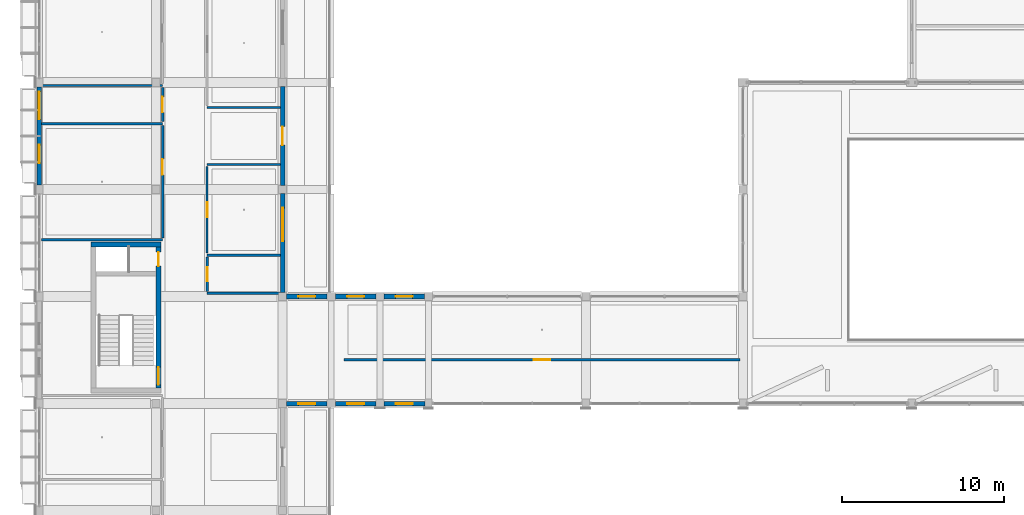
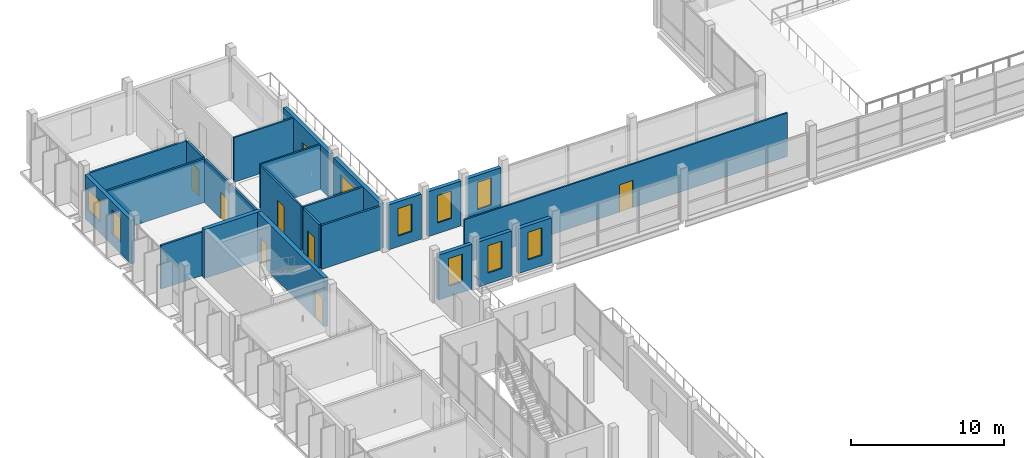
# One storey, part 50 of 85: 23 walls, 9 windows, 8 doors, 17 openings.
"""IFC4 building model written with IfcOpenShell, lengths in metres."""

from ifc_helpers import new_model, si_unit, derived_unit, direction, frame, frame_2d, origin, origin_with_axes, place, context, subcontext, project, spatial, rectangle, extrude, material, layer, layer_set, type_object, element, fill, save


model = new_model("IFC4")

# Units and contexts
model_context = context("Model", 3, precision=1e-05, world=origin(), true_north=direction((0.0, 1.0)))
body_context = subcontext(model_context, "Body", "Model", "MODEL_VIEW")
ifc_project = project(units=[si_unit("LENGTHUNIT", "METRE"), si_unit("AREAUNIT", "SQUARE_METRE"), si_unit("VOLUMEUNIT", "CUBIC_METRE"), si_unit("PLANEANGLEUNIT", "RADIAN"), si_unit("MASSUNIT", "GRAM", prefix="KILO"), derived_unit("THERMALTRANSMITTANCEUNIT", [(si_unit("POWERUNIT", "WATT"), 1), (si_unit("LENGTHUNIT", "METRE"), -2), (si_unit("THERMODYNAMICTEMPERATUREUNIT", "KELVIN"), -1)])], contexts=[model_context])

# Site, building, storey
site_placement = place(None, origin())
site = spatial("IfcSite", under=ifc_project, at=site_placement, CompositionType="ELEMENT")
building_placement = place(site_placement, origin())
building = spatial("IfcBuilding", under=site, at=building_placement, Name="Braskholm Square Health Centre", CompositionType="ELEMENT")
storey_placement = place(building_placement, frame((0.0, 0.0, 9.300048828125)))
storey = spatial("IfcBuildingStorey", under=building, at=storey_placement, Name="L03", CompositionType="ELEMENT", Elevation=9.300048828125)

# Wall, opening, door
ifc_material_1 = material(Name="Acoustic gypsum board partition")
ifc_layer_1 = layer(ifc_material_1, 0.125)
ifc_layer_set_1 = layer_set([ifc_layer_1], Name="Acoustic gypsum board partition")
wall_type_1 = type_object("IfcWallType", Name="ClinicalExamPartition125", PredefinedType="PARTITIONING", material=ifc_layer_set_1)
wall_1_placement = place(storey_placement, frame((23.0, 89.89990234375, 0.0), z_axis=(0.0, 0.0, 1.0), x_axis=(1.0, 0.0, 0.0)))
wall_1 = element("IfcWall", 1, at=wall_1_placement, inside=storey, type_object=wall_type_1, Name="Interior partition PWALL-L03-0141", PredefinedType="PARTITIONING", context=body_context, shape_type="SweptSolid", body=[
    extrude(rectangle(XDim=24.39990234375, YDim=0.125, at=frame_2d((12.199951171875, 0.0))), origin(), (0.0, 0.0, 1.0), 3.48486328125),
])
opening_1_placement = place(wall_1_placement, frame((11.68994140625, 0.0, 0.0)))
opening_1 = element("IfcOpeningElement", 2, at=opening_1_placement, cuts=wall_1, Name="Opening D-25", PredefinedType="OPENING", context=body_context, shape_type="SweptSolid", body=[
    extrude(rectangle(XDim=1.02001953125, YDim=2.179931640625, at=frame_2d((0.510009765625, 1.08984375))), frame((0.0, 0.072509765625, 0.0), z_axis=(0.0, -1.0, 0.0), x_axis=(1.0, 0.0, 0.0)), (0.0, 0.0, 1.0), 0.14501953125),
])
ifc_material_2 = material(Name="Architectural bronze anodised aluminium", Category="aluminium")
door_type_1 = type_object("IfcDoorType", Name="DoorConsultWide1020x2180", OperationType="NOTDEFINED", PredefinedType="DOOR", material=ifc_material_2)
door_1_placement = place(opening_1_placement, origin_with_axes())
door_1 = element("IfcDoor", 3, at=door_1_placement, inside=storey, type_object=door_type_1, Name="Interior door 0065 L03", OperationType="SINGLE_SWING_RIGHT", OverallHeight=2.179931640625, OverallWidth=1.02001953125, PredefinedType="DOOR", context=body_context, shape_type="SweptSolid", body=[
    extrude(rectangle(XDim=1.02001953125, YDim=2.179931640625, at=frame_2d((0.510009765625, 1.08984375))), frame((0.0, 0.02490234375, 0.0), z_axis=(0.0, -1.0, 0.0), x_axis=(1.0, 0.0, 0.0)), (0.0, 0.0, 1.0), 0.050048828125),
])
fill(opening_1, door_1)

wall_2_placement = place(storey_placement, frame((14.550048828125, 96.469970703125, 0.0), z_axis=(0.0, 0.0, 1.0), x_axis=(0.0, 1.0, 0.0)))
wall_2 = element("IfcWall", 4, at=wall_2_placement, inside=storey, type_object=wall_type_1, Name="Interior partition PWALL-L03-0154", PredefinedType="PARTITIONING", context=body_context, shape_type="SweptSolid", body=[
    extrude(rectangle(XDim=5.360107421875, YDim=0.125, at=frame_2d((2.68017578125, 0.0))), origin(), (0.0, 0.0, 1.0), 3.494873046875),
])
opening_2_placement = place(wall_2_placement, frame((2.22998046875, 0.0, 0.0)))
opening_2 = element("IfcOpeningElement", 5, at=opening_2_placement, cuts=wall_2, Name="Opening D-07", PredefinedType="OPENING", context=body_context, shape_type="SweptSolid", body=[
    extrude(rectangle(XDim=0.89990234375, YDim=2.1201171875, at=frame_2d((0.449951171875, 1.06005859375))), frame((0.0, 0.072509765625, 0.0), z_axis=(0.0, -1.0, 0.0), x_axis=(1.0, 0.0, 0.0)), (0.0, 0.0, 1.0), 0.14501953125),
])
door_type_2 = type_object("IfcDoorType", Name="DoorProviderOffice900x2120", OperationType="NOTDEFINED", PredefinedType="DOOR", material=ifc_material_2)
door_2_placement = place(opening_2_placement, frame((0.89990234375, 0.0, 0.0), z_axis=(0.0, 0.0, 1.0), x_axis=(-1.0, 0.0, 0.0)))
door_2 = element("IfcDoor", 6, at=door_2_placement, inside=storey, type_object=door_type_2, Name="Interior door 0071 L03", OperationType="SINGLE_SWING_RIGHT", OverallHeight=2.1201171875, OverallWidth=0.89990234375, PredefinedType="DOOR", context=body_context, shape_type="SweptSolid", body=[
    extrude(rectangle(XDim=0.89990234375, YDim=2.1201171875, at=frame_2d((0.449951171875, 1.06005859375))), frame((0.0, 0.02490234375, 0.0), z_axis=(0.0, -1.0, 0.0), x_axis=(1.0, 0.0, 0.0)), (0.0, 0.0, 1.0), 0.050048828125),
])
fill(opening_2, door_2)

# Walls
for number, where, z_axis, x_axis, name in (
    (7, (14.550048828125, 101.949951171875, 0.0), (0.0, 0.0, 1.0), (1.0, 0.0, 0.0), "Interior partition PWALL-L03-0155"),
    (8, (14.550048828125, 105.449951171875, 0.0), (0.0, 0.0, 1.0), (1.0, 0.0, 0.0), "Interior partition PWALL-L03-0157"),
):
    element("IfcWall", number, at=place(storey_placement, frame(where, z_axis=z_axis, x_axis=x_axis)), inside=storey, type_object=wall_type_1, Name=name, PredefinedType="PARTITIONING", context=body_context, shape_type="SweptSolid", body=[
        extrude(rectangle(XDim=4.510009765625, YDim=0.125, at=frame_2d((2.2548828125, 0.0))), origin(), (0.0, 0.0, 1.0), 3.56494140625),
    ])

# Wall, opening, door
ifc_layer_2 = layer(ifc_material_1, 0.14990234375)
ifc_layer_set_2 = layer_set([ifc_layer_2], Name="Acoustic gypsum board partition")
wall_type_2 = type_object("IfcWallType", Name="CorridorAcousticPartition150", PredefinedType="PARTITIONING", material=ifc_layer_set_2)
wall_3_placement = place(storey_placement, frame((11.800048828125, 97.419921875, 0.0), z_axis=(0.0, 0.0, 1.0), x_axis=(0.0, 1.0, 0.0)))
wall_3 = element("IfcWall", 9, at=wall_3_placement, inside=storey, type_object=wall_type_2, Name="Interior partition PWALL-L03-0135", PredefinedType="PARTITIONING", context=body_context, shape_type="SweptSolid", body=[
    extrude(rectangle(XDim=6.920166015625, YDim=0.14990234375, at=frame_2d((3.4599609375, 0.0))), origin(), (0.0, 0.0, 1.0), 3.494873046875),
])
opening_3_placement = place(wall_3_placement, frame((3.873046875, 0.0, 0.0)))
opening_3 = element("IfcOpeningElement", 10, at=opening_3_placement, cuts=wall_3, Name="Opening D-10", PredefinedType="OPENING", context=body_context, shape_type="SweptSolid", body=[
    extrude(rectangle(XDim=0.97998046875, YDim=2.1201171875, at=frame_2d((0.489990234375, 1.06005859375))), frame((0.0, 0.0849609375, 0.0), z_axis=(0.0, -1.0, 0.0), x_axis=(1.0, 0.0, 0.0)), (0.0, 0.0, 1.0), 0.169921875),
])
door_type_3 = type_object("IfcDoorType", Name="DoorUtilityStore980x2120", OperationType="NOTDEFINED", PredefinedType="DOOR", material=ifc_material_2)
door_3_placement = place(opening_3_placement, origin_with_axes())
door_3 = element("IfcDoor", 11, at=door_3_placement, inside=storey, type_object=door_type_3, Name="Interior door 0062 L03", OperationType="SINGLE_SWING_LEFT", OverallHeight=2.1201171875, OverallWidth=0.97998046875, PredefinedType="DOOR", context=body_context, shape_type="SweptSolid", body=[
    extrude(rectangle(XDim=0.97998046875, YDim=2.1201171875, at=frame_2d((0.489990234375, 1.06005859375))), frame((0.0, 0.02490234375, 0.0), z_axis=(0.0, -1.0, 0.0), x_axis=(1.0, 0.0, 0.0)), (0.0, 0.0, 1.0), 0.050048828125),
])
fill(opening_3, door_3)

# Walls
for number, where, z_axis, x_axis, name in (
    (12, (4.340087890625, 104.4599609375, 0.0), (0.0, 0.0, 1.0), (1.0, 0.0, 0.0), "Interior partition PWALL-L03-0136"),
    (13, (4.340087890625, 97.300048828125, 0.0), (0.0, 0.0, 1.0), (1.0, 0.0, 0.0), "Interior partition PWALL-L03-0137"),
):
    element("IfcWall", number, at=place(storey_placement, frame(where, z_axis=z_axis, x_axis=x_axis)), inside=storey, type_object=wall_type_2, Name=name, PredefinedType="PARTITIONING", context=body_context, shape_type="SweptSolid", body=[
        extrude(rectangle(XDim=7.4599609375, YDim=0.14990234375, at=frame_2d((3.72998046875, 0.0))), origin(), (0.0, 0.0, 1.0), 3.474853515625),
    ])

# Wall, opening, door
wall_4_placement = place(storey_placement, frame((11.800048828125, 104.580078125, 0.0), z_axis=(0.0, 0.0, 1.0), x_axis=(0.0, 1.0, 0.0)))
wall_4 = element("IfcWall", 14, at=wall_4_placement, inside=storey, type_object=wall_type_2, Name="Interior partition PWALL-L03-0138", PredefinedType="PARTITIONING", context=body_context, shape_type="SweptSolid", body=[
    extrude(rectangle(XDim=2.10986328125, YDim=0.14990234375, at=frame_2d((1.054931640625, 0.0))), origin(), (0.0, 0.0, 1.0), 3.494873046875),
])
opening_4_placement = place(wall_4_placement, frame((0.574951171875, 0.0, 0.0)))
opening_4 = element("IfcOpeningElement", 15, at=opening_4_placement, cuts=wall_4, Name="Opening D-05", PredefinedType="OPENING", context=body_context, shape_type="SweptSolid", body=[
    extrude(rectangle(XDim=0.9599609375, YDim=2.10009765625, at=frame_2d((0.47998046875, 1.050048828125))), frame((0.0, 0.0849609375, 0.0), z_axis=(0.0, -1.0, 0.0), x_axis=(1.0, 0.0, 0.0)), (0.0, 0.0, 1.0), 0.169921875),
])
door_type_4 = type_object("IfcDoorType", Name="DoorAccessibleWC960x2100", OperationType="NOTDEFINED", PredefinedType="DOOR", material=ifc_material_2)
door_4_placement = place(opening_4_placement, origin_with_axes())
door_4 = element("IfcDoor", 16, at=door_4_placement, inside=storey, type_object=door_type_4, Name="Interior door 0063 L03", OperationType="SINGLE_SWING_RIGHT", OverallHeight=2.10009765625, OverallWidth=0.9599609375, PredefinedType="DOOR", context=body_context, shape_type="SweptSolid", body=[
    extrude(rectangle(XDim=0.9599609375, YDim=2.10009765625, at=frame_2d((0.47998046875, 1.050048828125))), frame((0.0, 0.02490234375, 0.0), z_axis=(0.0, -1.0, 0.0), x_axis=(1.0, 0.0, 0.0)), (0.0, 0.0, 1.0), 0.050048828125),
])
fill(opening_4, door_4)

# Wall
wall_5_placement = place(storey_placement, frame((4.340087890625, 106.81005859375, 0.0), z_axis=(0.0, 0.0, 1.0), x_axis=(1.0, 0.0, 0.0)))
element("IfcWall", 17, at=wall_5_placement, inside=storey, type_object=wall_type_2, Name="Interior partition PWALL-L03-0139", PredefinedType="PARTITIONING", context=body_context, shape_type="SweptSolid", body=[
    extrude(rectangle(XDim=7.4599609375, YDim=0.14990234375, at=frame_2d((3.72998046875, 0.0))), origin(), (0.0, 0.0, 1.0), 3.474853515625),
])

# Wall, opening, door
wall_6_placement = place(storey_placement, frame((14.550048828125, 94.1201171875, 0.0), z_axis=(0.0, 0.0, 1.0), x_axis=(0.0, 1.0, 0.0)))
wall_6 = element("IfcWall", 18, at=wall_6_placement, inside=storey, type_object=wall_type_2, Name="Interior partition PWALL-L03-0151", PredefinedType="PARTITIONING", context=body_context, shape_type="SweptSolid", body=[
    extrude(rectangle(XDim=2.10986328125, YDim=0.14990234375, at=frame_2d((1.054931640625, 0.0))), origin(), (0.0, 0.0, 1.0), 3.494873046875),
])
opening_5_placement = place(wall_6_placement, frame((0.614990234375, 0.0, 0.0)))
opening_5 = element("IfcOpeningElement", 19, at=opening_5_placement, cuts=wall_6, Name="Opening D-06", PredefinedType="OPENING", context=body_context, shape_type="SweptSolid", body=[
    extrude(rectangle(XDim=0.8798828125, YDim=2.10009765625, at=frame_2d((0.43994140625, 1.050048828125))), frame((0.0, 0.0849609375, 0.0), z_axis=(0.0, -1.0, 0.0), x_axis=(1.0, 0.0, 0.0)), (0.0, 0.0, 1.0), 0.169921875),
])
door_type_5 = type_object("IfcDoorType", Name="DoorStaffWC880x2100", OperationType="NOTDEFINED", PredefinedType="DOOR", material=ifc_material_2)
door_5_placement = place(opening_5_placement, frame((0.8798828125, 0.0, 0.0), z_axis=(0.0, 0.0, 1.0), x_axis=(-1.0, 0.0, 0.0)))
door_5 = element("IfcDoor", 20, at=door_5_placement, inside=storey, type_object=door_type_5, Name="Interior door 0070 L03", OperationType="SINGLE_SWING_LEFT", OverallHeight=2.10009765625, OverallWidth=0.8798828125, PredefinedType="DOOR", context=body_context, shape_type="SweptSolid", body=[
    extrude(rectangle(XDim=0.8798828125, YDim=2.10009765625, at=frame_2d((0.43994140625, 1.050048828125))), frame((0.0, 0.02490234375, 0.0), z_axis=(0.0, -1.0, 0.0), x_axis=(1.0, 0.0, 0.0)), (0.0, 0.0, 1.0), 0.050048828125),
])
fill(opening_5, door_5)

# Walls
wall_7_placement = place(storey_placement, frame((14.550048828125, 94.0, 0.0), z_axis=(0.0, 0.0, 1.0), x_axis=(1.0, 0.0, 0.0)))
element("IfcWall", 21, at=wall_7_placement, inside=storey, type_object=wall_type_2, Name="Interior partition PWALL-L03-0152", PredefinedType="PARTITIONING", context=body_context, shape_type="SweptSolid", body=[
    extrude(rectangle(XDim=4.510009765625, YDim=0.14990234375, at=frame_2d((2.2548828125, 0.0))), origin(), (0.0, 0.0, 1.0), 3.494873046875),
])
wall_8_placement = place(storey_placement, frame((14.550048828125, 96.35009765625, 0.0), z_axis=(0.0, 0.0, 1.0), x_axis=(1.0, 0.0, 0.0)))
element("IfcWall", 22, at=wall_8_placement, inside=storey, type_object=wall_type_2, Name="Interior partition PWALL-L03-0153", PredefinedType="PARTITIONING", context=body_context, shape_type="SweptSolid", body=[
    extrude(rectangle(XDim=4.510009765625, YDim=0.14990234375, at=frame_2d((2.2548828125, 0.0))), origin(), (0.0, 0.0, 1.0), 3.56494140625),
])

# Wall, openings, windows
ifc_material_3 = material(Name="Precast concrete C40/50 architectural white", Category="concrete")
ifc_layer_3 = layer(ifc_material_3, 0.280029296875)
ifc_layer_set_3 = layer_set([ifc_layer_3], Name="Precast concrete C40/50 architectural white")
wall_type_3 = type_object("IfcWallType", Name="ExteriorPrecastSpandrelWall280", PredefinedType="SOLIDWALL", material=ifc_layer_set_3)
wall_9_placement = place(storey_placement, frame((4.199951171875, 106.718017578125, 0.0), z_axis=(0.0, 0.0, 1.0), x_axis=(0.0, -1.0, 0.0)))
wall_9 = element("IfcWall", 23, at=wall_9_placement, inside=storey, type_object=wall_type_3, Name="Exterior wall EWALL-L03-0027", PredefinedType="SOLIDWALL", context=body_context, shape_type="SweptSolid", body=[
    extrude(rectangle(XDim=6.0361328125, YDim=0.280029296875, at=frame_2d((3.01806640625, 0.0))), origin(), (0.0, 0.0, 1.0), 3.47998046875),
])
opening_6_placement = place(wall_9_placement, frame((0.291015625, 0.0, 0.8798828125)))
opening_6 = element("IfcOpeningElement", 24, at=opening_6_placement, cuts=wall_9, Name="Opening WN-18", PredefinedType="OPENING", context=body_context, shape_type="SweptSolid", body=[
    extrude(rectangle(XDim=1.699951171875, YDim=1.699951171875, at=frame_2d((0.85009765625, 0.85009765625))), frame((0.0, 0.14990234375, 0.0), z_axis=(0.0, -1.0, 0.0), x_axis=(1.0, 0.0, 0.0)), (0.0, 0.0, 1.0), 0.300048828125),
])
opening_7_placement = place(wall_9_placement, frame((3.574951171875, 0.0, 0.8798828125)))
opening_7 = element("IfcOpeningElement", 25, at=opening_7_placement, cuts=wall_9, Name="Opening WN-34", PredefinedType="OPENING", context=body_context, shape_type="SweptSolid", body=[
    extrude(rectangle(XDim=1.1201171875, YDim=1.949951171875, at=frame_2d((0.56005859375, 0.97509765625))), frame((0.0, 0.14990234375, 0.0), z_axis=(0.0, -1.0, 0.0), x_axis=(1.0, 0.0, 0.0)), (0.0, 0.0, 1.0), 0.300048828125),
])
ifc_material_4 = material(Name="Low-E triple insulating glass (VLT 0.64)", Category="glass")
window_type_1 = type_object("IfcWindowType", Name="WinArtDecoMed1120x1950", PartitioningType="SINGLE_PANEL", PredefinedType="WINDOW", material=ifc_material_4)
window_1_placement = place(opening_7_placement, origin_with_axes())
window_1 = element("IfcWindow", 26, at=window_1_placement, inside=storey, type_object=window_type_1, Name="Exterior window 0050 L03", OverallHeight=1.949951171875, OverallWidth=1.1201171875, PartitioningType="SINGLE_PANEL", PredefinedType="WINDOW", context=body_context, shape_type="SweptSolid", body=[
    extrude(rectangle(XDim=1.1201171875, YDim=1.949951171875, at=frame_2d((0.56005859375, 0.97509765625))), frame((0.0, 0.030029296875, 0.0), z_axis=(0.0, -1.0, 0.0), x_axis=(1.0, 0.0, 0.0)), (0.0, 0.0, 1.0), 0.06005859375),
])
fill(opening_7, window_1)
window_type_2 = type_object("IfcWindowType", Name="WinDentalDaylight1700x1700", PartitioningType="SINGLE_PANEL", PredefinedType="WINDOW", material=ifc_material_4)
window_2_placement = place(opening_6_placement, origin_with_axes())
window_2 = element("IfcWindow", 27, at=window_2_placement, inside=storey, type_object=window_type_2, Name="Exterior window 0049 L03", OverallHeight=1.699951171875, OverallWidth=1.699951171875, PartitioningType="SINGLE_PANEL", PredefinedType="WINDOW", context=body_context, shape_type="SweptSolid", body=[
    extrude(rectangle(XDim=1.699951171875, YDim=1.699951171875, at=frame_2d((0.85009765625, 0.85009765625))), frame((0.0, 0.030029296875, 0.0), z_axis=(0.0, -1.0, 0.0), x_axis=(1.0, 0.0, 0.0)), (0.0, 0.0, 1.0), 0.06005859375),
])
fill(opening_6, window_2)

# Wall, opening, window
wall_10_placement = place(storey_placement, frame((19.199951171875, 94.052001953125, 0.0), z_axis=(0.0, 0.0, 1.0), x_axis=(0.0, 1.0, 0.0)))
wall_10 = element("IfcWall", 28, at=wall_10_placement, inside=storey, type_object=wall_type_3, Name="Exterior wall EWALL-L03-0127", PredefinedType="SOLIDWALL", context=body_context, shape_type="SweptSolid", body=[
    extrude(rectangle(XDim=6.095947265625, YDim=0.280029296875, at=frame_2d((3.0478515625, 0.0))), origin(), (0.0, 0.0, 1.0), 3.570068359375),
])
opening_8_placement = place(wall_10_placement, frame((3.159912109375, 0.0, 0.800048828125)))
opening_8 = element("IfcOpeningElement", 29, at=opening_8_placement, cuts=wall_10, Name="Opening WN-25", PredefinedType="OPENING", context=body_context, shape_type="SweptSolid", body=[
    extrude(rectangle(XDim=2.050048828125, YDim=1.949951171875, at=frame_2d((1.02490234375, 0.97509765625))), frame((0.0, 0.14990234375, 0.0), z_axis=(0.0, -1.0, 0.0), x_axis=(1.0, 0.0, 0.0)), (0.0, 0.0, 1.0), 0.300048828125),
])
window_type_3 = type_object("IfcWindowType", Name="WinValleyTerrace2050x1950", PartitioningType="SINGLE_PANEL", PredefinedType="WINDOW", material=ifc_material_4)
window_3_placement = place(opening_8_placement, origin_with_axes())
window_3 = element("IfcWindow", 30, at=window_3_placement, inside=storey, type_object=window_type_3, Name="Exterior window 0190 L03", OverallHeight=1.949951171875, OverallWidth=2.050048828125, PartitioningType="SINGLE_PANEL", PredefinedType="WINDOW", context=body_context, shape_type="SweptSolid", body=[
    extrude(rectangle(XDim=2.050048828125, YDim=1.949951171875, at=frame_2d((1.02490234375, 0.97509765625))), frame((0.0, 0.030029296875, 0.0), z_axis=(0.0, -1.0, 0.0), x_axis=(1.0, 0.0, 0.0)), (0.0, 0.0, 1.0), 0.06005859375),
])
fill(opening_8, window_3)

# Wall, opening, door
wall_11_placement = place(storey_placement, frame((19.199951171875, 100.652099609375, 0.0), z_axis=(0.0, 0.0, 1.0), x_axis=(0.0, 1.0, 0.0)))
wall_11 = element("IfcWall", 31, at=wall_11_placement, inside=storey, type_object=wall_type_3, Name="Exterior wall EWALL-L03-0128", PredefinedType="SOLIDWALL", context=body_context, shape_type="SweptSolid", body=[
    extrude(rectangle(XDim=6.095947265625, YDim=0.280029296875, at=frame_2d((3.0478515625, 0.0))), origin(), (0.0, 0.0, 1.0), 3.570068359375),
])
opening_9_placement = place(wall_11_placement, frame((2.47802734375, 0.0, 0.0)))
opening_9 = element("IfcOpeningElement", 32, at=opening_9_placement, cuts=wall_11, Name="Opening D-T1", PredefinedType="OPENING", context=body_context, shape_type="SweptSolid", body=[
    extrude(rectangle(XDim=1.139892578125, YDim=2.300048828125, at=frame_2d((0.56982421875, 1.14990234375))), frame((0.0, 0.14990234375, 0.0), z_axis=(0.0, -1.0, 0.0), x_axis=(1.0, 0.0, 0.0)), (0.0, 0.0, 1.0), 0.300048828125),
])
door_type_6 = type_object("IfcDoorType", Name="DoorPlantedTerrace1140x2300", OperationType="NOTDEFINED", PredefinedType="DOOR", material=ifc_material_4)
door_6_placement = place(opening_9_placement, frame((1.139892578125, 0.0, 0.0), z_axis=(0.0, 0.0, 1.0), x_axis=(-1.0, 0.0, 0.0)))
door_6 = element("IfcDoor", 33, at=door_6_placement, inside=storey, type_object=door_type_6, Name="Exterior door 0017 L03", OperationType="SINGLE_SWING_LEFT", OverallHeight=2.300048828125, OverallWidth=1.139892578125, PredefinedType="DOOR", context=body_context, shape_type="SweptSolid", body=[
    extrude(rectangle(XDim=1.139892578125, YDim=2.300048828125, at=frame_2d((0.56982421875, 1.14990234375))), frame((0.0, 0.02490234375, 0.0), z_axis=(0.0, -1.0, 0.0), x_axis=(1.0, 0.0, 0.0)), (0.0, 0.0, 1.0), 0.050048828125),
])
fill(opening_9, door_6)

# Wall, opening, window
wall_12_placement = place(storey_placement, frame((19.451904296875, 87.199951171875, 0.0), z_axis=(0.0, 0.0, 1.0), x_axis=(1.0, 0.0, 0.0)))
wall_12 = element("IfcWall", 34, at=wall_12_placement, inside=storey, type_object=wall_type_3, Name="Exterior wall EWALL-L03-0251", PredefinedType="SOLIDWALL", context=body_context, shape_type="SweptSolid", body=[
    extrude(rectangle(XDim=2.49609375, YDim=0.280029296875, at=frame_2d((1.248046875, 0.0))), origin(), (0.0, 0.0, 1.0), 3.58984375),
])
opening_10_placement = place(wall_12_placement, frame((0.722900390625, 0.0, 0.85009765625)))
opening_10 = element("IfcOpeningElement", 35, at=opening_10_placement, cuts=wall_12, Name="Opening WN-02", PredefinedType="OPENING", context=body_context, shape_type="SweptSolid", body=[
    extrude(rectangle(XDim=1.050048828125, YDim=2.199951171875, at=frame_2d((0.52490234375, 1.10009765625))), frame((0.0, 0.14990234375, 0.0), z_axis=(0.0, -1.0, 0.0), x_axis=(1.0, 0.0, 0.0)), (0.0, 0.0, 1.0), 0.300048828125),
])
window_type_4 = type_object("IfcWindowType", Name="WinArtDecoLancet1050x2200", PartitioningType="SINGLE_PANEL", PredefinedType="WINDOW", material=ifc_material_4)
window_4_placement = place(opening_10_placement, origin_with_axes())
window_4 = element("IfcWindow", 36, at=window_4_placement, inside=storey, type_object=window_type_4, Name="Exterior window 0301 L03", OverallHeight=2.199951171875, OverallWidth=1.050048828125, PartitioningType="SINGLE_PANEL", PredefinedType="WINDOW", context=body_context, shape_type="SweptSolid", body=[
    extrude(rectangle(XDim=1.050048828125, YDim=2.199951171875, at=frame_2d((0.52490234375, 1.10009765625))), frame((0.0, 0.030029296875, 0.0), z_axis=(0.0, -1.0, 0.0), x_axis=(1.0, 0.0, 0.0)), (0.0, 0.0, 1.0), 0.06005859375),
])
fill(opening_10, window_4)

wall_13_placement = place(storey_placement, frame((21.947998046875, 93.800048828125, 0.0), z_axis=(0.0, 0.0, 1.0), x_axis=(-1.0, 0.0, 0.0)))
wall_13 = element("IfcWall", 37, at=wall_13_placement, inside=storey, type_object=wall_type_3, Name="Exterior wall EWALL-L03-0252", PredefinedType="SOLIDWALL", context=body_context, shape_type="SweptSolid", body=[
    extrude(rectangle(XDim=2.49609375, YDim=0.280029296875, at=frame_2d((1.248046875, 0.0))), origin(), (0.0, 0.0, 1.0), 3.58984375),
])
opening_11_placement = place(wall_13_placement, frame((0.722900390625, 0.0, 0.85009765625)))
opening_11 = element("IfcOpeningElement", 38, at=opening_11_placement, cuts=wall_13, Name="Opening WN-02", PredefinedType="OPENING", context=body_context, shape_type="SweptSolid", body=[
    extrude(rectangle(XDim=1.050048828125, YDim=2.199951171875, at=frame_2d((0.52490234375, 1.10009765625))), frame((0.0, 0.14990234375, 0.0), z_axis=(0.0, -1.0, 0.0), x_axis=(1.0, 0.0, 0.0)), (0.0, 0.0, 1.0), 0.300048828125),
])
window_5_placement = place(opening_11_placement, origin_with_axes())
window_5 = element("IfcWindow", 39, at=window_5_placement, inside=storey, type_object=window_type_4, Name="Exterior window 0302 L03", OverallHeight=2.199951171875, OverallWidth=1.050048828125, PartitioningType="SINGLE_PANEL", PredefinedType="WINDOW", context=body_context, shape_type="SweptSolid", body=[
    extrude(rectangle(XDim=1.050048828125, YDim=2.199951171875, at=frame_2d((0.52490234375, 1.10009765625))), frame((0.0, 0.030029296875, 0.0), z_axis=(0.0, -1.0, 0.0), x_axis=(1.0, 0.0, 0.0)), (0.0, 0.0, 1.0), 0.06005859375),
])
fill(opening_11, window_5)

wall_14_placement = place(storey_placement, frame((22.451904296875, 87.199951171875, 0.0), z_axis=(0.0, 0.0, 1.0), x_axis=(1.0, 0.0, 0.0)))
wall_14 = element("IfcWall", 40, at=wall_14_placement, inside=storey, type_object=wall_type_3, Name="Exterior wall EWALL-L03-0255", PredefinedType="SOLIDWALL", context=body_context, shape_type="SweptSolid", body=[
    extrude(rectangle(XDim=2.49609375, YDim=0.280029296875, at=frame_2d((1.248046875, 0.0))), origin(), (0.0, 0.0, 1.0), 3.58984375),
])
opening_12_placement = place(wall_14_placement, frame((0.722900390625, 0.0, 0.85009765625)))
opening_12 = element("IfcOpeningElement", 41, at=opening_12_placement, cuts=wall_14, Name="Opening WN-02", PredefinedType="OPENING", context=body_context, shape_type="SweptSolid", body=[
    extrude(rectangle(XDim=1.050048828125, YDim=2.199951171875, at=frame_2d((0.52490234375, 1.10009765625))), frame((0.0, 0.14990234375, 0.0), z_axis=(0.0, -1.0, 0.0), x_axis=(1.0, 0.0, 0.0)), (0.0, 0.0, 1.0), 0.300048828125),
])
window_6_placement = place(opening_12_placement, origin_with_axes())
window_6 = element("IfcWindow", 42, at=window_6_placement, inside=storey, type_object=window_type_4, Name="Exterior window 0305 L03", OverallHeight=2.199951171875, OverallWidth=1.050048828125, PartitioningType="SINGLE_PANEL", PredefinedType="WINDOW", context=body_context, shape_type="SweptSolid", body=[
    extrude(rectangle(XDim=1.050048828125, YDim=2.199951171875, at=frame_2d((0.52490234375, 1.10009765625))), frame((0.0, 0.030029296875, 0.0), z_axis=(0.0, -1.0, 0.0), x_axis=(1.0, 0.0, 0.0)), (0.0, 0.0, 1.0), 0.06005859375),
])
fill(opening_12, window_6)

wall_15_placement = place(storey_placement, frame((24.947998046875, 93.800048828125, 0.0), z_axis=(0.0, 0.0, 1.0), x_axis=(-1.0, 0.0, 0.0)))
wall_15 = element("IfcWall", 43, at=wall_15_placement, inside=storey, type_object=wall_type_3, Name="Exterior wall EWALL-L03-0258", PredefinedType="SOLIDWALL", context=body_context, shape_type="SweptSolid", body=[
    extrude(rectangle(XDim=2.49609375, YDim=0.280029296875, at=frame_2d((1.248046875, 0.0))), origin(), (0.0, 0.0, 1.0), 3.58984375),
])
opening_13_placement = place(wall_15_placement, frame((0.722900390625, 0.0, 0.85009765625)))
opening_13 = element("IfcOpeningElement", 44, at=opening_13_placement, cuts=wall_15, Name="Opening WN-02", PredefinedType="OPENING", context=body_context, shape_type="SweptSolid", body=[
    extrude(rectangle(XDim=1.050048828125, YDim=2.199951171875, at=frame_2d((0.52490234375, 1.10009765625))), frame((0.0, 0.14990234375, 0.0), z_axis=(0.0, -1.0, 0.0), x_axis=(1.0, 0.0, 0.0)), (0.0, 0.0, 1.0), 0.300048828125),
])
window_7_placement = place(opening_13_placement, origin_with_axes())
window_7 = element("IfcWindow", 45, at=window_7_placement, inside=storey, type_object=window_type_4, Name="Exterior window 0308 L03", OverallHeight=2.199951171875, OverallWidth=1.050048828125, PartitioningType="SINGLE_PANEL", PredefinedType="WINDOW", context=body_context, shape_type="SweptSolid", body=[
    extrude(rectangle(XDim=1.050048828125, YDim=2.199951171875, at=frame_2d((0.52490234375, 1.10009765625))), frame((0.0, 0.030029296875, 0.0), z_axis=(0.0, -1.0, 0.0), x_axis=(1.0, 0.0, 0.0)), (0.0, 0.0, 1.0), 0.06005859375),
])
fill(opening_13, window_7)

wall_16_placement = place(storey_placement, frame((25.451904296875, 87.199951171875, 0.0), z_axis=(0.0, 0.0, 1.0), x_axis=(1.0, 0.0, 0.0)))
wall_16 = element("IfcWall", 46, at=wall_16_placement, inside=storey, type_object=wall_type_3, Name="Exterior wall EWALL-L03-0261", PredefinedType="SOLIDWALL", context=body_context, shape_type="SweptSolid", body=[
    extrude(rectangle(XDim=2.51611328125, YDim=0.280029296875, at=frame_2d((1.258056640625, 0.0))), origin(), (0.0, 0.0, 1.0), 3.58984375),
])
opening_14_placement = place(wall_16_placement, frame((0.73291015625, 0.0, 0.85009765625)))
opening_14 = element("IfcOpeningElement", 47, at=opening_14_placement, cuts=wall_16, Name="Opening WN-02", PredefinedType="OPENING", context=body_context, shape_type="SweptSolid", body=[
    extrude(rectangle(XDim=1.050048828125, YDim=2.199951171875, at=frame_2d((0.52490234375, 1.10009765625))), frame((0.0, 0.14990234375, 0.0), z_axis=(0.0, -1.0, 0.0), x_axis=(1.0, 0.0, 0.0)), (0.0, 0.0, 1.0), 0.300048828125),
])
window_8_placement = place(opening_14_placement, origin_with_axes())
window_8 = element("IfcWindow", 48, at=window_8_placement, inside=storey, type_object=window_type_4, Name="Exterior window 0311 L03", OverallHeight=2.199951171875, OverallWidth=1.050048828125, PartitioningType="SINGLE_PANEL", PredefinedType="WINDOW", context=body_context, shape_type="SweptSolid", body=[
    extrude(rectangle(XDim=1.050048828125, YDim=2.199951171875, at=frame_2d((0.52490234375, 1.10009765625))), frame((0.0, 0.030029296875, 0.0), z_axis=(0.0, -1.0, 0.0), x_axis=(1.0, 0.0, 0.0)), (0.0, 0.0, 1.0), 0.06005859375),
])
fill(opening_14, window_8)

wall_17_placement = place(storey_placement, frame((27.947998046875, 93.800048828125, 0.0), z_axis=(0.0, 0.0, 1.0), x_axis=(-1.0, 0.0, 0.0)))
wall_17 = element("IfcWall", 49, at=wall_17_placement, inside=storey, type_object=wall_type_3, Name="Exterior wall EWALL-L03-0264", PredefinedType="SOLIDWALL", context=body_context, shape_type="SweptSolid", body=[
    extrude(rectangle(XDim=2.49609375, YDim=0.280029296875, at=frame_2d((1.248046875, 0.0))), origin(), (0.0, 0.0, 1.0), 3.58984375),
])
opening_15_placement = place(wall_17_placement, frame((0.722900390625, 0.0, 0.85009765625)))
opening_15 = element("IfcOpeningElement", 50, at=opening_15_placement, cuts=wall_17, Name="Opening WN-02", PredefinedType="OPENING", context=body_context, shape_type="SweptSolid", body=[
    extrude(rectangle(XDim=1.050048828125, YDim=2.199951171875, at=frame_2d((0.52490234375, 1.10009765625))), frame((0.0, 0.14990234375, 0.0), z_axis=(0.0, -1.0, 0.0), x_axis=(1.0, 0.0, 0.0)), (0.0, 0.0, 1.0), 0.300048828125),
])
window_9_placement = place(opening_15_placement, origin_with_axes())
window_9 = element("IfcWindow", 51, at=window_9_placement, inside=storey, type_object=window_type_4, Name="Exterior window 0314 L03", OverallHeight=2.199951171875, OverallWidth=1.050048828125, PartitioningType="SINGLE_PANEL", PredefinedType="WINDOW", context=body_context, shape_type="SweptSolid", body=[
    extrude(rectangle(XDim=1.050048828125, YDim=2.199951171875, at=frame_2d((0.52490234375, 1.10009765625))), frame((0.0, 0.030029296875, 0.0), z_axis=(0.0, -1.0, 0.0), x_axis=(1.0, 0.0, 0.0)), (0.0, 0.0, 1.0), 0.06005859375),
])
fill(opening_15, window_9)

# Wall
ifc_material_5 = material(Name="Concrete C40/50 (f'c = 40 MPa)", Category="concrete")
ifc_layer_4 = layer(ifc_material_5, 0.300048828125)
ifc_layer_set_4 = layer_set([ifc_layer_4], Name="Concrete C40/50 (f'c = 40 MPa)")
wall_type_4 = type_object("IfcWallType", Name="ShearCoreWall300", PredefinedType="SHEAR", material=ifc_layer_set_4)
wall_18_placement = place(storey_placement, frame((11.699951171875, 97.0, 0.0), z_axis=(0.0, 0.0, 1.0), x_axis=(-1.0, 0.0, 0.0)))
element("IfcWall", 52, at=wall_18_placement, inside=storey, type_object=wall_type_4, Name="CWALL-K3-L03 north wall", PredefinedType="SHEAR", context=body_context, shape_type="SweptSolid", body=[
    extrude(rectangle(XDim=4.300048828125, YDim=0.300048828125, at=frame_2d((2.14990234375, 0.0))), origin(), (0.0, 0.0, 1.0), 3.89990234375),
])

# Wall, openings, doors
wall_19_placement = place(storey_placement, frame((11.550048828125, 88.14990234375, 0.0), z_axis=(0.0, 0.0, 1.0), x_axis=(0.0, 1.0, 0.0)))
wall_19 = element("IfcWall", 53, at=wall_19_placement, inside=storey, type_object=wall_type_4, Name="CWALL-K3-L03 east wall", PredefinedType="SHEAR", context=body_context, shape_type="SweptSolid", body=[
    extrude(rectangle(XDim=8.7001953125, YDim=0.300048828125, at=frame_2d((4.35009765625, 0.0))), origin(), (0.0, 0.0, 1.0), 3.89990234375),
])
opening_16_placement = place(wall_19_placement, frame((0.199951171875, 0.0, 0.0)))
opening_16 = element("IfcOpeningElement", 54, at=opening_16_placement, cuts=wall_19, Name="Opening D-22", PredefinedType="OPENING", context=body_context, shape_type="SweptSolid", body=[
    extrude(rectangle(XDim=1.10009765625, YDim=2.199951171875, at=frame_2d((0.550048828125, 1.10009765625))), frame((0.0, 0.16015625, 0.0), z_axis=(0.0, -1.0, 0.0), x_axis=(1.0, 0.0, 0.0)), (0.0, 0.0, 1.0), 0.320068359375),
])
opening_17_placement = place(wall_19_placement, frame((7.52001953125, 0.0, 0.0)))
opening_17 = element("IfcOpeningElement", 55, at=opening_17_placement, cuts=wall_19, Name="Opening D-24", PredefinedType="OPENING", context=body_context, shape_type="SweptSolid", body=[
    extrude(rectangle(XDim=0.860107421875, YDim=2.050048828125, at=frame_2d((0.43017578125, 1.02490234375))), frame((0.0, 0.16015625, 0.0), z_axis=(0.0, -1.0, 0.0), x_axis=(1.0, 0.0, 0.0)), (0.0, 0.0, 1.0), 0.320068359375),
])
door_type_7 = type_object("IfcDoorType", Name="DoorRiserShaft860x2050", OperationType="NOTDEFINED", PredefinedType="DOOR", material=ifc_material_2)
door_7_placement = place(opening_17_placement, origin_with_axes())
door_7 = element("IfcDoor", 56, at=door_7_placement, inside=storey, type_object=door_type_7, Name="Core K3 service riser fire door L03", OperationType="SINGLE_SWING_RIGHT", OverallHeight=2.050048828125, OverallWidth=0.860107421875, PredefinedType="DOOR", context=body_context, shape_type="SweptSolid", body=[
    extrude(rectangle(XDim=0.860107421875, YDim=2.050048828125, at=frame_2d((0.43017578125, 1.02490234375))), frame((0.0, 0.02490234375, 0.0), z_axis=(0.0, -1.0, 0.0), x_axis=(1.0, 0.0, 0.0)), (0.0, 0.0, 1.0), 0.050048828125),
])
fill(opening_17, door_7)
door_type_8 = type_object("IfcDoorType", Name="DoorStairEnclosure1100x2200", OperationType="NOTDEFINED", PredefinedType="DOOR", material=ifc_material_2)
door_8_placement = place(opening_16_placement, origin_with_axes())
door_8 = element("IfcDoor", 57, at=door_8_placement, inside=storey, type_object=door_type_8, Name="Stair ST-03 door L03", OperationType="SINGLE_SWING_LEFT", OverallHeight=2.199951171875, OverallWidth=1.10009765625, PredefinedType="DOOR", context=body_context, shape_type="SweptSolid", body=[
    extrude(rectangle(XDim=1.10009765625, YDim=2.199951171875, at=frame_2d((0.550048828125, 1.10009765625))), frame((0.0, 0.02490234375, 0.0), z_axis=(0.0, -1.0, 0.0), x_axis=(1.0, 0.0, 0.0)), (0.0, 0.0, 1.0), 0.050048828125),
])
fill(opening_16, door_8)

save(model, "model.ifc")
